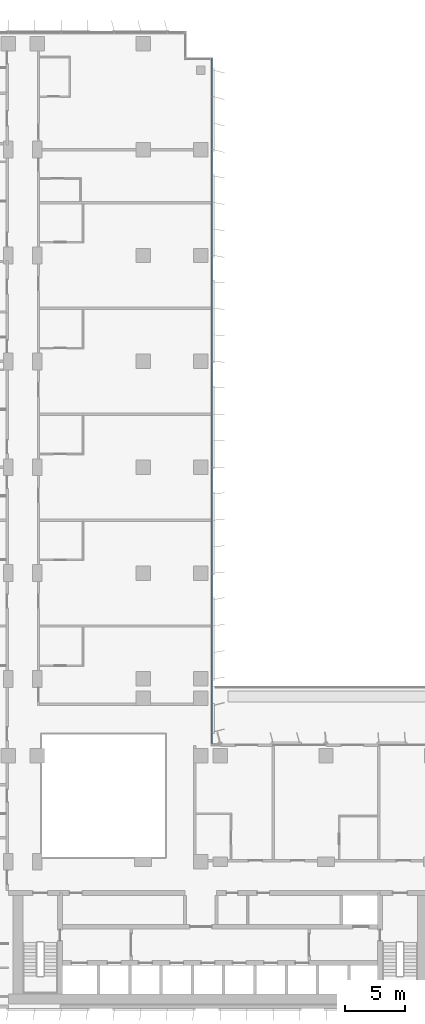
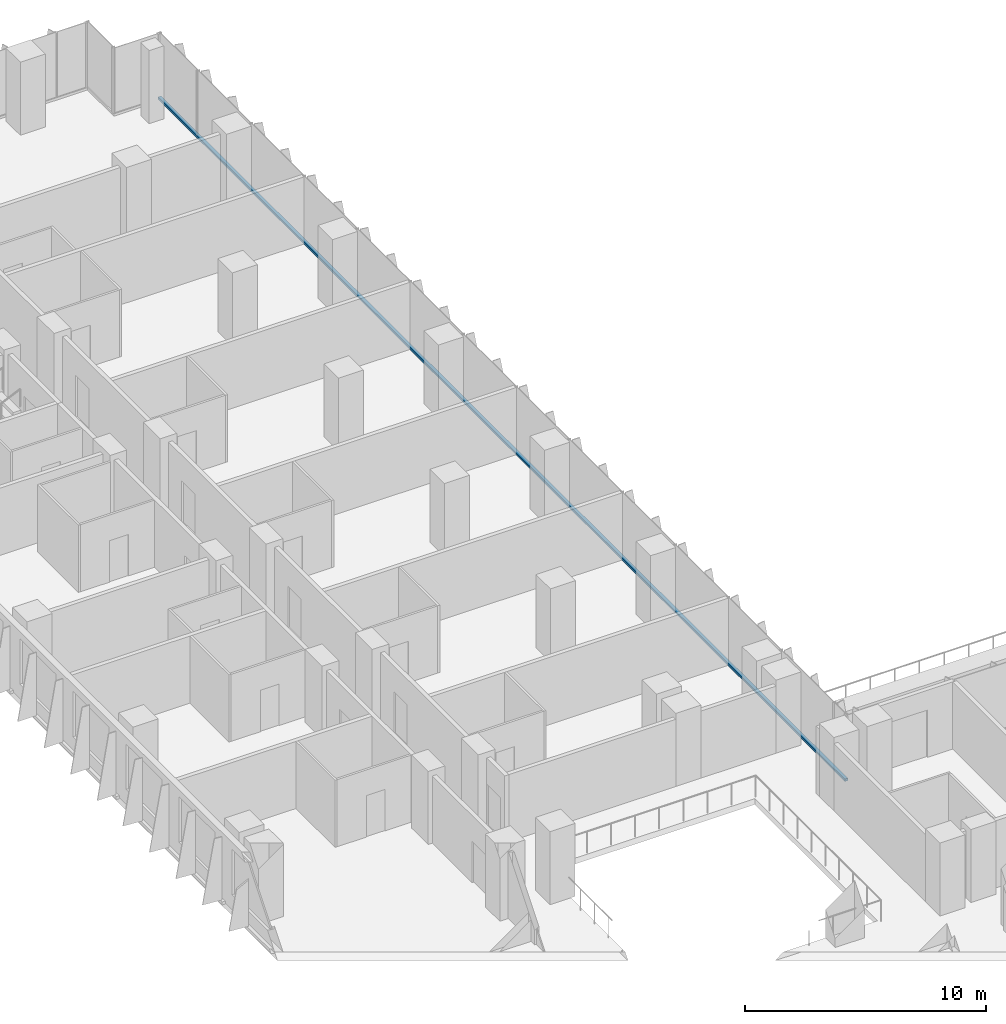
# One storey, part 6 of 27: 1 member, 1 element without a shape of its own.
"""IFC4 building model written with IfcOpenShell, lengths in metres."""

from ifc_helpers import new_model, si_unit, direction, frame, origin, origin_2d, place, context, subcontext, project, spatial, rectangle, extrude, material, material_profile, profile_set, type_object, element, aggregate, save


model = new_model("IFC4")

# Units and contexts
model_context = context("Model", 3, precision=1e-05, world=origin(), true_north=direction((0.0, 1.0)))
body_context = subcontext(model_context, "Body", "Model", "MODEL_VIEW")
ifc_project = project(units=[si_unit("LENGTHUNIT", "METRE"), si_unit("AREAUNIT", "SQUARE_METRE"), si_unit("VOLUMEUNIT", "CUBIC_METRE"), si_unit("PLANEANGLEUNIT", "RADIAN"), si_unit("MASSUNIT", "GRAM", prefix="KILO")], contexts=[model_context])

# Site, building, storey
site_placement = place(None, origin())
site = spatial("IfcSite", under=ifc_project, at=site_placement, CompositionType="ELEMENT")
building_placement = place(site_placement, origin())
building = spatial("IfcBuilding", under=site, at=building_placement, Name="Kemantara Hotel Tower", CompositionType="ELEMENT")
storey_placement = place(building_placement, frame((0.0, 0.0, 83.39990234375)))
storey = spatial("IfcBuildingStorey", under=building, at=storey_placement, Name="L19", CompositionType="ELEMENT", Elevation=83.39990234375)

# Curtain wall, member
ifc_material_1 = material(Name="Low-E tinted double insulated glass 36 mm", Category="glass")
curtain_wall_type = type_object("IfcCurtainWallType", Name="TOWER CURTAIN WALL, FRONT FACES", PredefinedType="USERDEFINED", material=ifc_material_1)
curtain_wall_placement = place(storey_placement, origin())
curtain_wall = element("IfcCurtainWall", 1, at=curtain_wall_placement, inside=storey, type_object=curtain_wall_type, Name="CW4 L19 T2-R14-1", ObjectType="TOWER CURTAIN WALL, FRONT FACES", PredefinedType="USERDEFINED")
ifc_material_2 = material(Name="Aluminium 6063-T6 bronze anodised", Category="aluminium")
ifc_material_profile = material_profile(ifc_material_2, rectangle(XDim=0.14990234375, YDim=0.1201171875, at=origin_2d()), Name="TOWER CURTAIN WALL, FRONT FACES TRANSOM")
ifc_profile_set = profile_set([ifc_material_profile], Name="Aluminium 6063-T6 bronze anodised")
member_type = type_object("IfcMemberType", Name="TOWER CURTAIN WALL, FRONT FACES TRANSOM", PredefinedType="USERDEFINED", material=ifc_profile_set)
member_placement = place(storey_placement, frame((26.72509765625, 22.0, 0.06005859375), z_axis=(0.0, 1.0, 0.0), x_axis=(-1.0, 0.0, 0.0)))
member = element("IfcMember", 2, at=member_placement, type_object=member_type, Name="CW4 sill transom T2-R14-1", ObjectType="TRANSOM", PredefinedType="USERDEFINED", context=body_context, shape_type="SweptSolid", body=[
    extrude(rectangle(XDim=0.14990234375, YDim=0.1201171875, at=origin_2d()), origin(), (0.0, 0.0, 1.0), 57.0),
])
aggregate(curtain_wall, [member])

save(model, "model.ifc")
